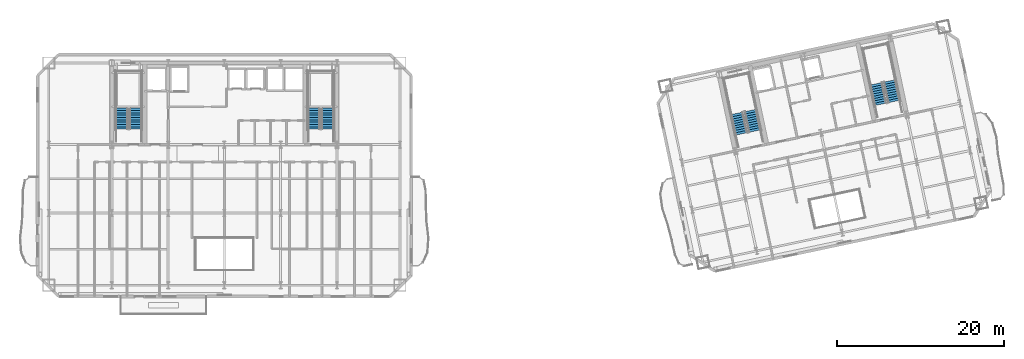
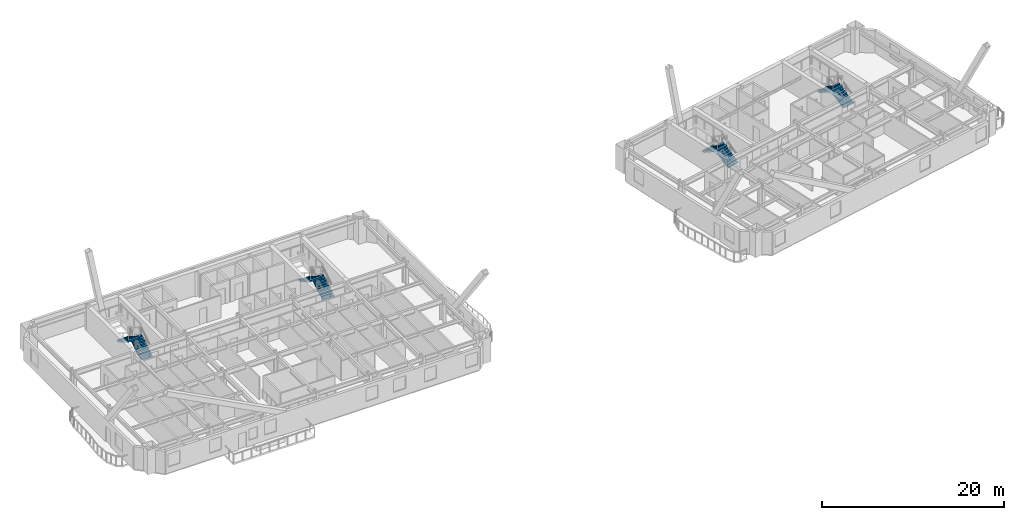
# One storey, part 10 of 14: 8 stair flights, 4 elements without a shape of their own.
"""IFC4 building model written with IfcOpenShell, lengths in metres."""

from ifc_helpers import new_model, si_unit, direction, frame, origin, place, context, subcontext, project, spatial, polyline, outline, extrude, material, type_object, element, aggregate, save


model = new_model("IFC4")

# Units and contexts
model_context = context("Model", 3, precision=1e-05, world=origin(), true_north=direction((0.0, 1.0)))
body_context = subcontext(model_context, "Body", "Model", "MODEL_VIEW")
ifc_project = project(units=[si_unit("LENGTHUNIT", "METRE"), si_unit("AREAUNIT", "SQUARE_METRE"), si_unit("VOLUMEUNIT", "CUBIC_METRE"), si_unit("PLANEANGLEUNIT", "RADIAN"), si_unit("MASSUNIT", "GRAM", prefix="KILO")], contexts=[model_context])

# Site, building, storey
site_placement = place(None, origin())
site = spatial("IfcSite", under=ifc_project, at=site_placement, CompositionType="ELEMENT")
building_placement = place(site_placement, origin())
building = spatial("IfcBuilding", under=site, at=building_placement, Name="Haevon Station Towers", CompositionType="ELEMENT")
storey_placement = place(building_placement, frame((0.0, 0.0, 123.0)))
storey = spatial("IfcBuildingStorey", under=building, at=storey_placement, Name="L33", CompositionType="ELEMENT", Elevation=123.0)

# Stair, stair flights
ifc_material = material(Name="Concrete C40/50", Category="concrete")
stair_type = type_object("IfcStairType", Name="STR-DL1450", PredefinedType="USERDEFINED", material=ifc_material)
stair_1_placement = place(storey_placement, origin())
stair_1 = element("IfcStair", 1, at=stair_1_placement, inside=storey, type_object=stair_type, Name="L33 Escape Stair ST1", ObjectType="TWO_RETURN_STAIR", PredefinedType="USERDEFINED")
stair_flight_type = type_object("IfcStairFlightType", Name="STF-ST1450", PredefinedType="STRAIGHT", material=ifc_material)
stair_flight_1_placement = place(storey_placement, frame((26.85498046875, 40.050048828125, 0.0), z_axis=(0.0, 0.0, 1.0), x_axis=(0.0, 1.0, 0.0)))
stair_flight_1 = element("IfcStairFlight", 2, at=stair_flight_1_placement, type_object=stair_flight_type, Name="L33 ST1 Flight 1", NumberOfRisers=10, NumberOfTreads=9, PredefinedType="STRAIGHT", RiserHeight=0.165, TreadLength=0.28, context=body_context, shape_type="SweptSolid", body=[
    extrude(outline(polyline([(0.0, 0.0), (0.0, 0.1650390625), (0.280029296875, 0.1650390625), (0.280029296875, 0.330078125), (0.56005859375, 0.330078125), (0.56005859375, 0.4951171875), (0.840087890625, 0.4951171875), (0.840087890625, 0.659912109375), (1.1201171875, 0.659912109375), (1.1201171875, 0.824951171875), (1.39990234375, 0.824951171875), (1.39990234375, 0.989990234375), (1.679931640625, 0.989990234375), (1.679931640625, 1.155029296875), (1.9599609375, 1.155029296875), (1.9599609375, 1.320068359375), (2.239990234375, 1.320068359375), (2.239990234375, 1.485107421875), (2.52001953125, 1.485107421875), (2.52001953125, 1.64990234375), (2.52001953125, 1.29931640625), (0.31494140625, 0.0), (0.0, 0.0)])), frame((0.0, 0.72509765625, 0.0), z_axis=(0.0, -1.0, 0.0), x_axis=(1.0, 0.0, 0.0)), (0.0, 0.0, 1.0), 1.449951171875),
])
stair_flight_2_placement = place(storey_placement, frame((25.205078125, 42.570068359375, 1.64990234375), z_axis=(0.0, 0.0, 1.0), x_axis=(0.0, -1.0, 0.0)))
stair_flight_2 = element("IfcStairFlight", 3, at=stair_flight_2_placement, type_object=stair_flight_type, Name="L33 ST1 Flight 2", NumberOfRisers=10, NumberOfTreads=9, PredefinedType="STRAIGHT", RiserHeight=0.165, TreadLength=0.28, context=body_context, shape_type="SweptSolid", body=[
    extrude(outline(polyline([(0.0, 0.0), (0.0, 0.1650390625), (0.280029296875, 0.1650390625), (0.280029296875, 0.330078125), (0.56005859375, 0.330078125), (0.56005859375, 0.4951171875), (0.840087890625, 0.4951171875), (0.840087890625, 0.659912109375), (1.1201171875, 0.659912109375), (1.1201171875, 0.824951171875), (1.39990234375, 0.824951171875), (1.39990234375, 0.989990234375), (1.679931640625, 0.989990234375), (1.679931640625, 1.155029296875), (1.9599609375, 1.155029296875), (1.9599609375, 1.320068359375), (2.239990234375, 1.320068359375), (2.239990234375, 1.485107421875), (2.52001953125, 1.485107421875), (2.52001953125, 1.64990234375), (2.52001953125, 1.29931640625), (0.31494140625, 0.0), (0.0, 0.0)])), frame((0.0, 0.72509765625, 0.0), z_axis=(0.0, -1.0, 0.0), x_axis=(1.0, 0.0, 0.0)), (0.0, 0.0, 1.0), 1.449951171875),
])
aggregate(stair_1, [stair_flight_1, stair_flight_2])

stair_2_placement = place(storey_placement, origin())
stair_2 = element("IfcStair", 4, at=stair_2_placement, inside=storey, type_object=stair_type, Name="L33 Escape Stair ST2", ObjectType="TWO_RETURN_STAIR", PredefinedType="USERDEFINED")
stair_flight_3_placement = place(storey_placement, frame((49.89501953125, 40.050048828125, 0.0), z_axis=(0.0, 0.0, 1.0), x_axis=(0.0, 1.0, 0.0)))
stair_flight_3 = element("IfcStairFlight", 5, at=stair_flight_3_placement, type_object=stair_flight_type, Name="L33 ST2 Flight 1", NumberOfRisers=10, NumberOfTreads=9, PredefinedType="STRAIGHT", RiserHeight=0.165, TreadLength=0.28, context=body_context, shape_type="SweptSolid", body=[
    extrude(outline(polyline([(0.0, 0.0), (0.0, 0.1650390625), (0.280029296875, 0.1650390625), (0.280029296875, 0.330078125), (0.56005859375, 0.330078125), (0.56005859375, 0.4951171875), (0.840087890625, 0.4951171875), (0.840087890625, 0.659912109375), (1.1201171875, 0.659912109375), (1.1201171875, 0.824951171875), (1.39990234375, 0.824951171875), (1.39990234375, 0.989990234375), (1.679931640625, 0.989990234375), (1.679931640625, 1.155029296875), (1.9599609375, 1.155029296875), (1.9599609375, 1.320068359375), (2.239990234375, 1.320068359375), (2.239990234375, 1.485107421875), (2.52001953125, 1.485107421875), (2.52001953125, 1.64990234375), (2.52001953125, 1.29931640625), (0.31494140625, 0.0), (0.0, 0.0)])), frame((0.0, 0.72509765625, 0.0), z_axis=(0.0, -1.0, 0.0), x_axis=(1.0, 0.0, 0.0)), (0.0, 0.0, 1.0), 1.449951171875),
])
stair_flight_4_placement = place(storey_placement, frame((48.2451171875, 42.570068359375, 1.64990234375), z_axis=(0.0, 0.0, 1.0), x_axis=(0.0, -1.0, 0.0)))
stair_flight_4 = element("IfcStairFlight", 6, at=stair_flight_4_placement, type_object=stair_flight_type, Name="L33 ST2 Flight 2", NumberOfRisers=10, NumberOfTreads=9, PredefinedType="STRAIGHT", RiserHeight=0.165, TreadLength=0.28, context=body_context, shape_type="SweptSolid", body=[
    extrude(outline(polyline([(0.0, 0.0), (0.0, 0.1650390625), (0.280029296875, 0.1650390625), (0.280029296875, 0.330078125), (0.56005859375, 0.330078125), (0.56005859375, 0.4951171875), (0.840087890625, 0.4951171875), (0.840087890625, 0.659912109375), (1.1201171875, 0.659912109375), (1.1201171875, 0.824951171875), (1.39990234375, 0.824951171875), (1.39990234375, 0.989990234375), (1.679931640625, 0.989990234375), (1.679931640625, 1.155029296875), (1.9599609375, 1.155029296875), (1.9599609375, 1.320068359375), (2.239990234375, 1.320068359375), (2.239990234375, 1.485107421875), (2.52001953125, 1.485107421875), (2.52001953125, 1.64990234375), (2.52001953125, 1.29931640625), (0.31494140625, 0.0), (0.0, 0.0)])), frame((0.0, 0.72509765625, 0.0), z_axis=(0.0, -1.0, 0.0), x_axis=(1.0, 0.0, 0.0)), (0.0, 0.0, 1.0), 1.449951171875),
])
aggregate(stair_2, [stair_flight_3, stair_flight_4])

stair_3_placement = place(storey_placement, origin())
stair_3 = element("IfcStair", 7, at=stair_3_placement, inside=storey, type_object=stair_type, Name="L33 Escape Stair ST3", ObjectType="TWO_RETURN_STAIR", PredefinedType="USERDEFINED")
stair_flight_5_placement = place(storey_placement, frame((101.1015625, 39.8330078125, 0.0), z_axis=(0.0, 0.0, 1.0), x_axis=(-0.207911690818, 0.978147600734, 0.0)))
stair_flight_5 = element("IfcStairFlight", 8, at=stair_flight_5_placement, type_object=stair_flight_type, Name="L33 ST3 Flight 1", NumberOfRisers=10, NumberOfTreads=9, PredefinedType="STRAIGHT", RiserHeight=0.165, TreadLength=0.28, context=body_context, shape_type="SweptSolid", body=[
    extrude(outline(polyline([(0.0, 0.0), (0.0, 0.1650390625), (0.280029296875, 0.1650390625), (0.280029296875, 0.330078125), (0.56005859375, 0.330078125), (0.56005859375, 0.4951171875), (0.840087890625, 0.4951171875), (0.840087890625, 0.659912109375), (1.1201171875, 0.659912109375), (1.1201171875, 0.824951171875), (1.39990234375, 0.824951171875), (1.39990234375, 0.989990234375), (1.679931640625, 0.989990234375), (1.679931640625, 1.155029296875), (1.9599609375, 1.155029296875), (1.9599609375, 1.320068359375), (2.239990234375, 1.320068359375), (2.239990234375, 1.485107421875), (2.52001953125, 1.485107421875), (2.52001953125, 1.64990234375), (2.52001953125, 1.29931640625), (0.31494140625, 0.0), (0.0, 0.0)])), frame((0.0, 0.72509765625, 0.0), z_axis=(0.0, -1.0, 0.0), x_axis=(1.0, 0.0, 0.0)), (0.0, 0.0, 1.0), 1.449951171875),
])
stair_flight_6_placement = place(storey_placement, frame((98.9638671875, 41.955078125, 1.64990234375), z_axis=(0.0, 0.0, 1.0), x_axis=(0.207911690818, -0.978147600734, 0.0)))
stair_flight_6 = element("IfcStairFlight", 9, at=stair_flight_6_placement, type_object=stair_flight_type, Name="L33 ST3 Flight 2", NumberOfRisers=10, NumberOfTreads=9, PredefinedType="STRAIGHT", RiserHeight=0.165, TreadLength=0.28, context=body_context, shape_type="SweptSolid", body=[
    extrude(outline(polyline([(0.0, 0.0), (0.0, 0.1650390625), (0.280029296875, 0.1650390625), (0.280029296875, 0.330078125), (0.56005859375, 0.330078125), (0.56005859375, 0.4951171875), (0.840087890625, 0.4951171875), (0.840087890625, 0.659912109375), (1.1201171875, 0.659912109375), (1.1201171875, 0.824951171875), (1.39990234375, 0.824951171875), (1.39990234375, 0.989990234375), (1.679931640625, 0.989990234375), (1.679931640625, 1.155029296875), (1.9599609375, 1.155029296875), (1.9599609375, 1.320068359375), (2.239990234375, 1.320068359375), (2.239990234375, 1.485107421875), (2.52001953125, 1.485107421875), (2.52001953125, 1.64990234375), (2.52001953125, 1.29931640625), (0.31494140625, 0.0), (0.0, 0.0)])), frame((0.0, 0.72509765625, 0.0), z_axis=(0.0, -1.0, 0.0), x_axis=(1.0, 0.0, 0.0)), (0.0, 0.0, 1.0), 1.449951171875),
])
aggregate(stair_3, [stair_flight_5, stair_flight_6])

stair_4_placement = place(storey_placement, origin())
stair_4 = element("IfcStair", 10, at=stair_4_placement, inside=storey, type_object=stair_type, Name="L33 Escape Stair ST4", ObjectType="TWO_RETURN_STAIR", PredefinedType="USERDEFINED")
stair_flight_7_placement = place(storey_placement, frame((117.788818359375, 43.380126953125, 0.0), z_axis=(0.0, 0.0, 1.0), x_axis=(-0.207911690818, 0.978147600734, 0.0)))
stair_flight_7 = element("IfcStairFlight", 11, at=stair_flight_7_placement, type_object=stair_flight_type, Name="L33 ST4 Flight 1", NumberOfRisers=10, NumberOfTreads=9, PredefinedType="STRAIGHT", RiserHeight=0.165, TreadLength=0.28, context=body_context, shape_type="SweptSolid", body=[
    extrude(outline(polyline([(0.0, 0.0), (0.0, 0.1650390625), (0.280029296875, 0.1650390625), (0.280029296875, 0.330078125), (0.56005859375, 0.330078125), (0.56005859375, 0.4951171875), (0.840087890625, 0.4951171875), (0.840087890625, 0.659912109375), (1.1201171875, 0.659912109375), (1.1201171875, 0.824951171875), (1.39990234375, 0.824951171875), (1.39990234375, 0.989990234375), (1.679931640625, 0.989990234375), (1.679931640625, 1.155029296875), (1.9599609375, 1.155029296875), (1.9599609375, 1.320068359375), (2.239990234375, 1.320068359375), (2.239990234375, 1.485107421875), (2.52001953125, 1.485107421875), (2.52001953125, 1.64990234375), (2.52001953125, 1.29931640625), (0.31494140625, 0.0), (0.0, 0.0)])), frame((0.0, 0.72509765625, 0.0), z_axis=(0.0, -1.0, 0.0), x_axis=(1.0, 0.0, 0.0)), (0.0, 0.0, 1.0), 1.449951171875),
])
stair_flight_8_placement = place(storey_placement, frame((115.65087890625, 45.501953125, 1.64990234375), z_axis=(0.0, 0.0, 1.0), x_axis=(0.207911690818, -0.978147600734, 0.0)))
stair_flight_8 = element("IfcStairFlight", 12, at=stair_flight_8_placement, type_object=stair_flight_type, Name="L33 ST4 Flight 2", NumberOfRisers=10, NumberOfTreads=9, PredefinedType="STRAIGHT", RiserHeight=0.165, TreadLength=0.28, context=body_context, shape_type="SweptSolid", body=[
    extrude(outline(polyline([(0.0, 0.0), (0.0, 0.1650390625), (0.280029296875, 0.1650390625), (0.280029296875, 0.330078125), (0.56005859375, 0.330078125), (0.56005859375, 0.4951171875), (0.840087890625, 0.4951171875), (0.840087890625, 0.659912109375), (1.1201171875, 0.659912109375), (1.1201171875, 0.824951171875), (1.39990234375, 0.824951171875), (1.39990234375, 0.989990234375), (1.679931640625, 0.989990234375), (1.679931640625, 1.155029296875), (1.9599609375, 1.155029296875), (1.9599609375, 1.320068359375), (2.239990234375, 1.320068359375), (2.239990234375, 1.485107421875), (2.52001953125, 1.485107421875), (2.52001953125, 1.64990234375), (2.52001953125, 1.29931640625), (0.31494140625, 0.0), (0.0, 0.0)])), frame((0.0, 0.72509765625, 0.0), z_axis=(0.0, -1.0, 0.0), x_axis=(1.0, 0.0, 0.0)), (0.0, 0.0, 1.0), 1.449951171875),
])
aggregate(stair_4, [stair_flight_7, stair_flight_8])

save(model, "model.ifc")
